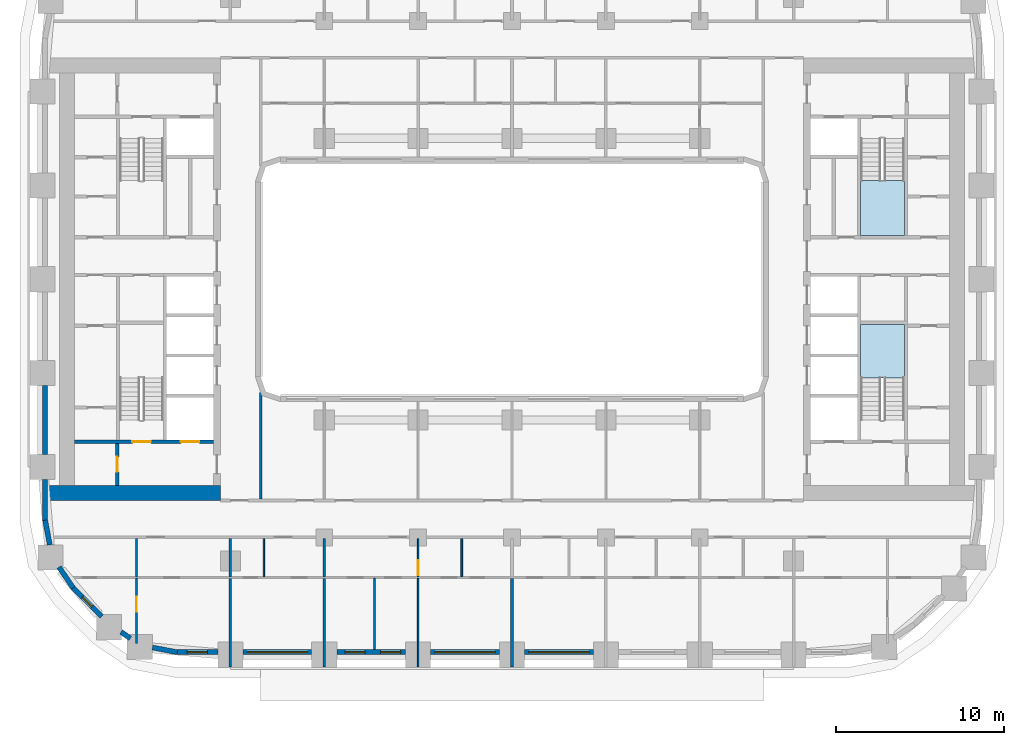
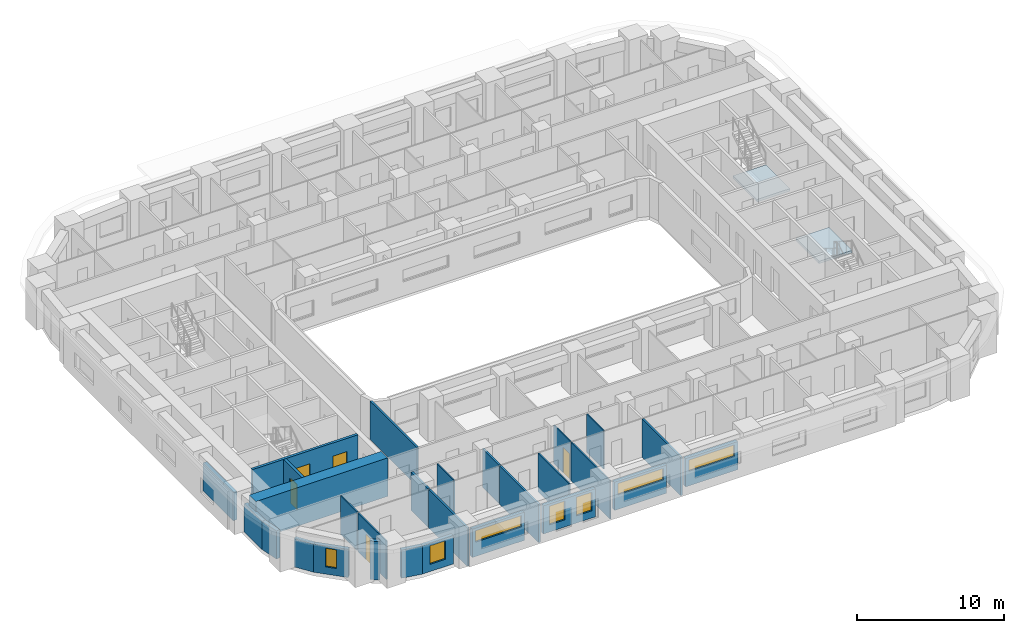
# One storey, part 2 of 21: 28 walls, 7 windows, 5 doors, 2 slabs, 12 openings, 2 elements without a shape of their own.
"""IFC4 building model written with IfcOpenShell, lengths in metres."""

from ifc_helpers import new_model, si_unit, direction, frame, frame_2d, origin, place, context, subcontext, project, spatial, polyline, rectangle, outline, extrude, material, layer, layer_set, type_object, element, fill, aggregate, save


model = new_model("IFC4")

# Units and contexts
model_context = context("Model", 3, precision=1e-05, world=origin(), true_north=direction((0.0, 1.0)))
body_context = subcontext(model_context, "Body", "Model", "MODEL_VIEW")
ifc_project = project(units=[si_unit("LENGTHUNIT", "METRE"), si_unit("AREAUNIT", "SQUARE_METRE"), si_unit("VOLUMEUNIT", "CUBIC_METRE"), si_unit("PLANEANGLEUNIT", "RADIAN"), si_unit("MASSUNIT", "GRAM", prefix="KILO")], contexts=[model_context])

# Site, building, storey
site_placement = place(None, origin())
site = spatial("IfcSite", under=ifc_project, at=site_placement, CompositionType="ELEMENT")
building_placement = place(site_placement, origin())
building = spatial("IfcBuilding", under=site, at=building_placement, Name="Kiln Ring Residences", CompositionType="ELEMENT")
storey_placement = place(building_placement, frame((0.0, 0.0, 48.0)))
storey = spatial("IfcBuildingStorey", under=building, at=storey_placement, Name="L11", CompositionType="ELEMENT", Elevation=48.0)

# Stair, slab
ifc_material_1 = material(Name="Concrete C40/50", Category="concrete")
stair_type = type_object("IfcStairType", Name="CORE-STAIR", PredefinedType="HALF_TURN_STAIR", material=ifc_material_1)
placement_1 = place(storey_placement, origin())
stair_1 = element("IfcStair", 1, at=placement_1, inside=storey, type_object=stair_type, Name="L11 stair E-STN", PredefinedType="HALF_TURN_STAIR")
ifc_material_2 = material(Name="Concrete C40/50", Category="concrete")
ifc_layer_1 = layer(ifc_material_2, 0.199951171875)
ifc_layer_set_1 = layer_set([ifc_layer_1], Name="CORE-STAIR-LANDING")
slab_type = type_object("IfcSlabType", Name="CORE-STAIR-LANDING", PredefinedType="LANDING", material=ifc_layer_set_1)
placement_2 = place(storey_placement, frame((0.0, 0.0, 1.550048828125)))
slab_1 = element("IfcSlab", 2, at=placement_2, type_object=slab_type, Name="E-STN landing 1", PredefinedType="LANDING", context=body_context, shape_type="SweptSolid", body=[
    extrude(outline(polyline([(20.800048828125, 5.8798828125), (20.800048828125, 2.60009765625), (23.39990234375, 2.60009765625), (23.39990234375, 5.8798828125), (20.800048828125, 5.8798828125)])), origin(), (0.0, 0.0, 1.0), 0.199951171875),
])
aggregate(stair_1, [slab_1])

stair_2 = element("IfcStair", 3, at=placement_1, inside=storey, type_object=stair_type, Name="L11 stair E-STS", PredefinedType="HALF_TURN_STAIR")
slab_2 = element("IfcSlab", 4, at=placement_2, type_object=slab_type, Name="E-STS landing 1", PredefinedType="LANDING", context=body_context, shape_type="SweptSolid", body=[
    extrude(outline(polyline([(23.39990234375, -5.8798828125), (23.39990234375, -2.699951171875), (20.800048828125, -2.699951171875), (20.800048828125, -5.8798828125), (23.39990234375, -5.8798828125)])), origin(), (0.0, 0.0, 1.0), 0.199951171875),
])
aggregate(stair_2, [slab_2])

# Wall, opening, door
ifc_material_3 = material(Name="Gypsum board on steel studs", Category="steel")
ifc_layer_2 = layer(ifc_material_3, 0.199951171875)
ifc_layer_set_2 = layer_set([ifc_layer_2], Name="CORE-PARTITION-200")
wall_type_1 = type_object("IfcWallType", Name="CORE-PARTITION-200", PredefinedType="PARTITIONING", material=ifc_layer_set_2)
wall_1_placement = place(storey_placement, frame((-23.550048828125, -12.300048828125, 0.0), z_axis=(0.0, 0.0, 1.0), x_axis=(0.0, 1.0, 0.0)))
wall_1 = element("IfcWall", 5, at=wall_1_placement, inside=storey, type_object=wall_type_1, Name="Core partition west L11 5", PredefinedType="PARTITIONING", context=body_context, shape_type="SweptSolid", body=[
    extrude(rectangle(XDim=2.5, YDim=0.199951171875, at=frame_2d((1.25, 0.0))), origin(), (0.0, 0.0, 1.0), 3.199951171875),
])
opening_1_placement = place(wall_1_placement, frame((0.800048828125, 0.0, 0.0)))
opening_1 = element("IfcOpeningElement", 6, at=opening_1_placement, cuts=wall_1, Name="Opening L11-CW11", PredefinedType="OPENING", context=body_context, shape_type="SweptSolid", body=[
    extrude(rectangle(XDim=0.89990234375, YDim=2.10009765625, at=frame_2d((0.449951171875, 1.050048828125))), frame((0.0, 0.10986328125, 0.0), z_axis=(0.0, -1.0, 0.0), x_axis=(1.0, 0.0, 0.0)), (0.0, 0.0, 1.0), 0.219970703125),
])
ifc_material_4 = material(Name="Steel door leaf", Category="steel")
door_type_1 = type_object("IfcDoorType", Name="CORE-DOOR-ROOM", OperationType="SINGLE_SWING_LEFT", PredefinedType="DOOR", material=ifc_material_4)
door_1_placement = place(opening_1_placement, origin())
door_1 = element("IfcDoor", 7, at=door_1_placement, inside=storey, type_object=door_type_1, Name="Store L11-CW11", OperationType="SINGLE_SWING_LEFT", OverallHeight=2.10009765625, OverallWidth=0.89990234375, PredefinedType="DOOR", context=body_context, shape_type="SweptSolid", body=[
    extrude(rectangle(XDim=0.89990234375, YDim=2.10009765625, at=frame_2d((0.449951171875, 1.050048828125))), frame((0.0, 0.02490234375, 0.0), z_axis=(0.0, -1.0, 0.0), x_axis=(1.0, 0.0, 0.0)), (0.0, 0.0, 1.0), 0.050048828125),
])
fill(opening_1, door_1)

# Wall, openings, doors
ifc_material_5 = material(Name="Concrete C40/50", Category="concrete")
ifc_layer_3 = layer(ifc_material_5, 0.199951171875)
ifc_layer_set_3 = layer_set([ifc_layer_3], Name="CORE-WALL-RC200")
wall_type_2 = type_object("IfcWallType", Name="CORE-WALL-RC200", PredefinedType="SHEAR", material=ifc_layer_set_3)
wall_2_placement = place(storey_placement, frame((-17.800048828125, -9.699951171875, 0.0), z_axis=(0.0, 0.0, 1.0), x_axis=(-1.0, 0.0, 0.0)))
wall_2 = element("IfcWall", 8, at=wall_2_placement, inside=storey, type_object=wall_type_2, Name="Core wall west L11 8", PredefinedType="SHEAR", context=body_context, shape_type="SweptSolid", body=[
    extrude(rectangle(XDim=8.300048828125, YDim=0.199951171875, at=frame_2d((4.14990234375, 0.0))), origin(), (0.0, 0.0, 1.0), 3.199951171875),
])
opening_2_placement = place(wall_2_placement, frame((0.85009765625, 0.0, 0.0)))
opening_2 = element("IfcOpeningElement", 9, at=opening_2_placement, cuts=wall_2, Name="Opening L11-CW01", PredefinedType="OPENING", context=body_context, shape_type="SweptSolid", body=[
    extrude(rectangle(XDim=1.10009765625, YDim=2.10009765625, at=frame_2d((0.550048828125, 1.050048828125))), frame((0.0, 0.10986328125, 0.0), z_axis=(0.0, -1.0, 0.0), x_axis=(1.0, 0.0, 0.0)), (0.0, 0.0, 1.0), 0.219970703125),
])
opening_3_placement = place(wall_2_placement, frame((3.75, 0.0, 0.0)))
opening_3 = element("IfcOpeningElement", 10, at=opening_3_placement, cuts=wall_2, Name="Opening L11-CW13", PredefinedType="OPENING", context=body_context, shape_type="SweptSolid", body=[
    extrude(rectangle(XDim=1.10009765625, YDim=2.10009765625, at=frame_2d((0.550048828125, 1.050048828125))), frame((0.0, 0.10986328125, 0.0), z_axis=(0.0, -1.0, 0.0), x_axis=(1.0, 0.0, 0.0)), (0.0, 0.0, 1.0), 0.219970703125),
])
ifc_material_6 = material(Name="Steel door leaf", Category="steel")
door_type_2 = type_object("IfcDoorType", Name="CORE-DOOR-LD", OperationType="DOUBLE_DOOR_SLIDING", PredefinedType="DOOR", material=ifc_material_6)
door_2_placement = place(opening_2_placement, origin())
door_2 = element("IfcDoor", 11, at=door_2_placement, inside=storey, type_object=door_type_2, Name="LD W-SV L11-CW01", OperationType="DOUBLE_DOOR_SLIDING", OverallHeight=2.10009765625, OverallWidth=1.10009765625, PredefinedType="DOOR", context=body_context, shape_type="SweptSolid", body=[
    extrude(rectangle(XDim=1.10009765625, YDim=2.10009765625, at=frame_2d((0.550048828125, 1.050048828125))), frame((0.0, 0.02490234375, 0.0), z_axis=(0.0, -1.0, 0.0), x_axis=(1.0, 0.0, 0.0)), (0.0, 0.0, 1.0), 0.050048828125),
])
fill(opening_2, door_2)
ifc_material_7 = material(Name="Steel door leaf", Category="steel")
door_type_3 = type_object("IfcDoorType", Name="CORE-DOOR-STAIR", OperationType="SINGLE_SWING_LEFT", PredefinedType="DOOR", material=ifc_material_7)
door_3_placement = place(opening_3_placement, origin())
door_3 = element("IfcDoor", 12, at=door_3_placement, inside=storey, type_object=door_type_3, Name="Stair W-STS L11-CW13", OperationType="SINGLE_SWING_RIGHT", OverallHeight=2.10009765625, OverallWidth=1.10009765625, PredefinedType="DOOR", context=body_context, shape_type="SweptSolid", body=[
    extrude(rectangle(XDim=1.10009765625, YDim=2.10009765625, at=frame_2d((0.550048828125, 1.050048828125))), frame((0.0, 0.02490234375, 0.0), z_axis=(0.0, -1.0, 0.0), x_axis=(1.0, 0.0, 0.0)), (0.0, 0.0, 1.0), 0.050048828125),
])
fill(opening_3, door_3)

# Wall
ifc_material_8 = material(Name="Concrete C60/75", Category="concrete")
ifc_layer_4 = layer(ifc_material_8, 0.89990234375)
ifc_layer_set_4 = layer_set([ifc_layer_4], Name="CORE-WALL-RC900")
wall_type_3 = type_object("IfcWallType", Name="CORE-WALL-RC900", PredefinedType="SHEAR", material=ifc_layer_set_4)
wall_3_placement = place(storey_placement, frame((-17.39990234375, -12.75, 0.0), z_axis=(0.0, 0.0, 1.0), x_axis=(-1.0, 0.0, 0.0)))
element("IfcWall", 13, at=wall_3_placement, inside=storey, type_object=wall_type_3, Name="Core wall west L11 5", PredefinedType="SHEAR", context=body_context, shape_type="SweptSolid", body=[
    extrude(rectangle(XDim=10.400146484375, YDim=0.89990234375, at=frame_2d((5.2001953125, 0.0))), origin(), (0.0, 0.0, 1.0), 3.199951171875),
])

# Wall, opening, window
ifc_material_9 = material(Name="Brick masonry, dark clay brick", Category="masonry")
ifc_layer_5 = layer(ifc_material_9, 0.300048828125)
ifc_layer_set_5 = layer_set([ifc_layer_5], Name="EW-300 BRICK WALL")
wall_type_4 = type_object("IfcWallType", Name="EW-300 BRICK WALL", PredefinedType="SOLIDWALL", material=ifc_layer_set_5)
wall_4_placement = place(storey_placement, frame((-26.19677734375, -18.390869140625, 0.0), z_axis=(0.0, 0.0, 1.0), x_axis=(0.707106781187, -0.707106781187, 0.0)))
wall_4 = element("IfcWall", 14, at=wall_4_placement, inside=storey, type_object=wall_type_4, Name="Facade wall L11 1", PredefinedType="SOLIDWALL", context=body_context, shape_type="SweptSolid", body=[
    extrude(rectangle(XDim=2.449951171875, YDim=0.300048828125, at=frame_2d((1.22509765625, 0.0))), origin(), (0.0, 0.0, 1.0), 2.35009765625),
])
opening_4_placement = place(wall_4_placement, frame((0.824951171875, 0.0, 0.60009765625)))
opening_4 = element("IfcOpeningElement", 15, at=opening_4_placement, cuts=wall_4, Name="Opening W5", PredefinedType="OPENING", context=body_context, shape_type="SweptSolid", body=[
    extrude(rectangle(XDim=0.800048828125, YDim=1.550048828125, at=frame_2d((0.39990234375, 0.77490234375))), frame((0.0, 0.159912109375, 0.0), z_axis=(0.0, -1.0, 0.0), x_axis=(1.0, 0.0, 0.0)), (0.0, 0.0, 1.0), 0.320068359375),
])
ifc_material_10 = material(Name="Aluminium frame with double glazing", Category="aluminium")
window_type_1 = type_object("IfcWindowType", Name="WINDOW 800 x 1550", PartitioningType="SINGLE_PANEL", PredefinedType="WINDOW", material=ifc_material_10)
window_1_placement = place(opening_4_placement, origin())
window_1 = element("IfcWindow", 16, at=window_1_placement, inside=storey, type_object=window_type_1, Name="Window L11 1", OverallHeight=1.550048828125, OverallWidth=0.800048828125, PartitioningType="SINGLE_PANEL", PredefinedType="WINDOW", context=body_context, shape_type="SweptSolid", body=[
    extrude(rectangle(XDim=0.800048828125, YDim=1.550048828125, at=frame_2d((0.39990234375, 0.77490234375))), frame((0.0, 0.030029296875, 0.0), z_axis=(0.0, -1.0, 0.0), x_axis=(1.0, 0.0, 0.0)), (0.0, 0.0, 1.0), 0.06005859375),
])
fill(opening_4, window_1)

# Walls
wall_5_placement = place(storey_placement, frame((-23.3271484375, -21.044921875, 0.0), z_axis=(0.0, 0.0, 1.0), x_axis=(0.827080706709, -0.562083182981, 0.0)))
element("IfcWall", 17, at=wall_5_placement, inside=storey, type_object=wall_type_4, Name="Facade wall L11 2", PredefinedType="SOLIDWALL", context=body_context, shape_type="SweptSolid", body=[
    extrude(rectangle(XDim=0.67724609375, YDim=0.300048828125, at=frame_2d((0.338623046875, 0.0))), origin(), (0.0, 0.0, 1.0), 3.199951171875),
])
wall_6_placement = place(storey_placement, frame((-21.451416015625, -21.970458984375, 0.0), z_axis=(0.0, 0.0, 1.0), x_axis=(0.982287454367, -0.187380247071, 0.0)))
element("IfcWall", 18, at=wall_6_placement, inside=storey, type_object=wall_type_4, Name="Facade wall L11 3", PredefinedType="SOLIDWALL", context=body_context, shape_type="SweptSolid", body=[
    extrude(rectangle(XDim=1.506103515625, YDim=0.300048828125, at=frame_2d((0.7529296875, 0.0))), origin(), (0.0, 0.0, 1.0), 2.35009765625),
])

# Wall, opening, window
wall_7_placement = place(storey_placement, frame((-20.0, -22.25, 0.0), z_axis=(0.0, 0.0, 1.0), x_axis=(1.0, 0.0, 0.0)))
wall_7 = element("IfcWall", 19, at=wall_7_placement, inside=storey, type_object=wall_type_4, Name="Facade wall L11 4", PredefinedType="SOLIDWALL", context=body_context, shape_type="SweptSolid", body=[
    extrude(rectangle(XDim=2.449951171875, YDim=0.300048828125, at=frame_2d((1.22509765625, 0.0))), origin(), (0.0, 0.0, 1.0), 2.35009765625),
])
opening_5_placement = place(wall_7_placement, frame((0.625, 0.0, 0.60009765625)))
opening_5 = element("IfcOpeningElement", 20, at=opening_5_placement, cuts=wall_7, Name="Opening W1", PredefinedType="OPENING", context=body_context, shape_type="SweptSolid", body=[
    extrude(rectangle(XDim=1.199951171875, YDim=1.550048828125, at=frame_2d((0.60009765625, 0.77490234375))), frame((0.0, 0.159912109375, 0.0), z_axis=(0.0, -1.0, 0.0), x_axis=(1.0, 0.0, 0.0)), (0.0, 0.0, 1.0), 0.320068359375),
])
ifc_material_11 = material(Name="Aluminium frame with double glazing", Category="aluminium")
window_type_2 = type_object("IfcWindowType", Name="WINDOW 1200 x 1550", PartitioningType="SINGLE_PANEL", PredefinedType="WINDOW", material=ifc_material_11)
window_2_placement = place(opening_5_placement, origin())
window_2 = element("IfcWindow", 21, at=window_2_placement, inside=storey, type_object=window_type_2, Name="Window L11 2", OverallHeight=1.550048828125, OverallWidth=1.199951171875, PartitioningType="SINGLE_PANEL", PredefinedType="WINDOW", context=body_context, shape_type="SweptSolid", body=[
    extrude(rectangle(XDim=1.199951171875, YDim=1.550048828125, at=frame_2d((0.60009765625, 0.77490234375))), frame((0.0, 0.030029296875, 0.0), z_axis=(0.0, -1.0, 0.0), x_axis=(1.0, 0.0, 0.0)), (0.0, 0.0, 1.0), 0.06005859375),
])
fill(opening_5, window_2)

wall_8_placement = place(storey_placement, frame((-16.050048828125, -22.25, 0.0), z_axis=(0.0, 0.0, 1.0), x_axis=(1.0, 0.0, 0.0)))
wall_8 = element("IfcWall", 22, at=wall_8_placement, inside=storey, type_object=wall_type_4, Name="Facade wall L11 5", PredefinedType="SOLIDWALL", context=body_context, shape_type="SweptSolid", body=[
    extrude(rectangle(XDim=4.10009765625, YDim=0.300048828125, at=frame_2d((2.050048828125, 0.0))), origin(), (0.0, 0.0, 1.0), 2.35009765625),
])
opening_6_placement = place(wall_8_placement, frame((0.25, 0.0, 1.199951171875)))
opening_6 = element("IfcOpeningElement", 23, at=opening_6_placement, cuts=wall_8, Name="Opening W4", PredefinedType="OPENING", context=body_context, shape_type="SweptSolid", body=[
    extrude(rectangle(XDim=3.60009765625, YDim=0.949951171875, at=frame_2d((1.800048828125, 0.47509765625))), frame((0.0, 0.159912109375, 0.0), z_axis=(0.0, -1.0, 0.0), x_axis=(1.0, 0.0, 0.0)), (0.0, 0.0, 1.0), 0.320068359375),
])
ifc_material_12 = material(Name="Aluminium frame with double glazing", Category="aluminium")
window_type_3 = type_object("IfcWindowType", Name="WINDOW 3600 x 950", PartitioningType="SINGLE_PANEL", PredefinedType="WINDOW", material=ifc_material_12)
window_3_placement = place(opening_6_placement, origin())
window_3 = element("IfcWindow", 24, at=window_3_placement, inside=storey, type_object=window_type_3, Name="Window L11 3", OverallHeight=0.949951171875, OverallWidth=3.60009765625, PartitioningType="SINGLE_PANEL", PredefinedType="WINDOW", context=body_context, shape_type="SweptSolid", body=[
    extrude(rectangle(XDim=3.60009765625, YDim=0.949951171875, at=frame_2d((1.800048828125, 0.47509765625))), frame((0.0, 0.030029296875, 0.0), z_axis=(0.0, -1.0, 0.0), x_axis=(1.0, 0.0, 0.0)), (0.0, 0.0, 1.0), 0.06005859375),
])
fill(opening_6, window_3)

# Wall, openings, windows
wall_9_placement = place(storey_placement, frame((-10.449951171875, -22.25, 0.0), z_axis=(0.0, 0.0, 1.0), x_axis=(1.0, 0.0, 0.0)))
wall_9 = element("IfcWall", 25, at=wall_9_placement, inside=storey, type_object=wall_type_4, Name="Facade wall L11 6", PredefinedType="SOLIDWALL", context=body_context, shape_type="SweptSolid", body=[
    extrude(rectangle(XDim=4.099853515625, YDim=0.300048828125, at=frame_2d((2.0498046875, 0.0))), origin(), (0.0, 0.0, 1.0), 2.35009765625),
])
opening_7_placement = place(wall_9_placement, frame((0.487548828125, 0.0, 0.60009765625)))
opening_7 = element("IfcOpeningElement", 26, at=opening_7_placement, cuts=wall_9, Name="Opening W1", PredefinedType="OPENING", context=body_context, shape_type="SweptSolid", body=[
    extrude(rectangle(XDim=1.199951171875, YDim=1.550048828125, at=frame_2d((0.60009765625, 0.77490234375))), frame((0.0, 0.159912109375, 0.0), z_axis=(0.0, -1.0, 0.0), x_axis=(1.0, 0.0, 0.0)), (0.0, 0.0, 1.0), 0.320068359375),
])
opening_8_placement = place(wall_9_placement, frame((2.612548828125, 0.0, 0.60009765625)))
opening_8 = element("IfcOpeningElement", 27, at=opening_8_placement, cuts=wall_9, Name="Opening W1", PredefinedType="OPENING", context=body_context, shape_type="SweptSolid", body=[
    extrude(rectangle(XDim=1.199951171875, YDim=1.550048828125, at=frame_2d((0.60009765625, 0.77490234375))), frame((0.0, 0.159912109375, 0.0), z_axis=(0.0, -1.0, 0.0), x_axis=(1.0, 0.0, 0.0)), (0.0, 0.0, 1.0), 0.320068359375),
])
window_4_placement = place(opening_7_placement, origin())
window_4 = element("IfcWindow", 28, at=window_4_placement, inside=storey, type_object=window_type_2, Name="Window L11 4", OverallHeight=1.550048828125, OverallWidth=1.199951171875, PartitioningType="SINGLE_PANEL", PredefinedType="WINDOW", context=body_context, shape_type="SweptSolid", body=[
    extrude(rectangle(XDim=1.199951171875, YDim=1.550048828125, at=frame_2d((0.60009765625, 0.77490234375))), frame((0.0, 0.030029296875, 0.0), z_axis=(0.0, -1.0, 0.0), x_axis=(1.0, 0.0, 0.0)), (0.0, 0.0, 1.0), 0.06005859375),
])
fill(opening_7, window_4)
window_5_placement = place(opening_8_placement, origin())
window_5 = element("IfcWindow", 29, at=window_5_placement, inside=storey, type_object=window_type_2, Name="Window L11 5", OverallHeight=1.550048828125, OverallWidth=1.199951171875, PartitioningType="SINGLE_PANEL", PredefinedType="WINDOW", context=body_context, shape_type="SweptSolid", body=[
    extrude(rectangle(XDim=1.199951171875, YDim=1.550048828125, at=frame_2d((0.60009765625, 0.77490234375))), frame((0.0, 0.030029296875, 0.0), z_axis=(0.0, -1.0, 0.0), x_axis=(1.0, 0.0, 0.0)), (0.0, 0.0, 1.0), 0.06005859375),
])
fill(opening_8, window_5)

# Wall, opening, window
wall_10_placement = place(storey_placement, frame((-4.85009765625, -22.25, 0.0), z_axis=(0.0, 0.0, 1.0), x_axis=(1.0, 0.0, 0.0)))
wall_10 = element("IfcWall", 30, at=wall_10_placement, inside=storey, type_object=wall_type_4, Name="Facade wall L11 7", PredefinedType="SOLIDWALL", context=body_context, shape_type="SweptSolid", body=[
    extrude(rectangle(XDim=4.10009765625, YDim=0.300048828125, at=frame_2d((2.050048828125, 0.0))), origin(), (0.0, 0.0, 1.0), 2.35009765625),
])
opening_9_placement = place(wall_10_placement, frame((0.25, 0.0, 1.199951171875)))
opening_9 = element("IfcOpeningElement", 31, at=opening_9_placement, cuts=wall_10, Name="Opening W4", PredefinedType="OPENING", context=body_context, shape_type="SweptSolid", body=[
    extrude(rectangle(XDim=3.60009765625, YDim=0.949951171875, at=frame_2d((1.800048828125, 0.47509765625))), frame((0.0, 0.159912109375, 0.0), z_axis=(0.0, -1.0, 0.0), x_axis=(1.0, 0.0, 0.0)), (0.0, 0.0, 1.0), 0.320068359375),
])
window_6_placement = place(opening_9_placement, origin())
window_6 = element("IfcWindow", 32, at=window_6_placement, inside=storey, type_object=window_type_3, Name="Window L11 6", OverallHeight=0.949951171875, OverallWidth=3.60009765625, PartitioningType="SINGLE_PANEL", PredefinedType="WINDOW", context=body_context, shape_type="SweptSolid", body=[
    extrude(rectangle(XDim=3.60009765625, YDim=0.949951171875, at=frame_2d((1.800048828125, 0.47509765625))), frame((0.0, 0.030029296875, 0.0), z_axis=(0.0, -1.0, 0.0), x_axis=(1.0, 0.0, 0.0)), (0.0, 0.0, 1.0), 0.06005859375),
])
fill(opening_9, window_6)

wall_11_placement = place(storey_placement, frame((0.75, -22.25, 0.0), z_axis=(0.0, 0.0, 1.0), x_axis=(1.0, 0.0, 0.0)))
wall_11 = element("IfcWall", 33, at=wall_11_placement, inside=storey, type_object=wall_type_4, Name="Facade wall L11 8", PredefinedType="SOLIDWALL", context=body_context, shape_type="SweptSolid", body=[
    extrude(rectangle(XDim=4.10009765625, YDim=0.300048828125, at=frame_2d((2.050048828125, 0.0))), origin(), (0.0, 0.0, 1.0), 2.35009765625),
])
opening_10_placement = place(wall_11_placement, frame((0.25, 0.0, 1.199951171875)))
opening_10 = element("IfcOpeningElement", 34, at=opening_10_placement, cuts=wall_11, Name="Opening W4", PredefinedType="OPENING", context=body_context, shape_type="SweptSolid", body=[
    extrude(rectangle(XDim=3.60009765625, YDim=0.949951171875, at=frame_2d((1.800048828125, 0.47509765625))), frame((0.0, 0.159912109375, 0.0), z_axis=(0.0, -1.0, 0.0), x_axis=(1.0, 0.0, 0.0)), (0.0, 0.0, 1.0), 0.320068359375),
])
window_7_placement = place(opening_10_placement, origin())
window_7 = element("IfcWindow", 35, at=window_7_placement, inside=storey, type_object=window_type_3, Name="Window L11 7", OverallHeight=0.949951171875, OverallWidth=3.60009765625, PartitioningType="SINGLE_PANEL", PredefinedType="WINDOW", context=body_context, shape_type="SweptSolid", body=[
    extrude(rectangle(XDim=3.60009765625, YDim=0.949951171875, at=frame_2d((1.800048828125, 0.47509765625))), frame((0.0, 0.030029296875, 0.0), z_axis=(0.0, -1.0, 0.0), x_axis=(1.0, 0.0, 0.0)), (0.0, 0.0, 1.0), 0.06005859375),
])
fill(opening_10, window_7)

# Walls
wall_12_placement = place(storey_placement, frame((-27.85009765625, -6.35009765625, 0.0), z_axis=(0.0, 0.0, 1.0), x_axis=(0.0, -1.0, 0.0)))
element("IfcWall", 36, at=wall_12_placement, inside=storey, type_object=wall_type_4, Name="Facade wall L11 45", PredefinedType="SOLIDWALL", context=body_context, shape_type="SweptSolid", body=[
    extrude(rectangle(XDim=4.099853515625, YDim=0.300048828125, at=frame_2d((2.0498046875, 0.0))), origin(), (0.0, 0.0, 1.0), 2.35009765625),
])
wall_13_placement = place(storey_placement, frame((-27.85009765625, -11.949951171875, 0.0), z_axis=(0.0, 0.0, 1.0), x_axis=(0.0, -1.0, 0.0)))
element("IfcWall", 37, at=wall_13_placement, inside=storey, type_object=wall_type_4, Name="Facade wall L11 46", PredefinedType="SOLIDWALL", context=body_context, shape_type="SweptSolid", body=[
    extrude(rectangle(XDim=2.449951171875, YDim=0.300048828125, at=frame_2d((1.22509765625, 0.0))), origin(), (0.0, 0.0, 1.0), 2.35009765625),
])
for number, where, z_axis, x_axis, name in (
    (38, (-27.8525390625, -14.371826171875, 0.0), (0.0, 0.0, 1.0), (0.187223837635, -0.982317277982, 0.0), "Facade wall L11 47"),
    (39, (-27.025390625, -17.1669921875, 0.0), (0.0, 0.0, 1.0), (0.561973021955, -0.827155561303, 0.0), "Facade wall L11 48"),
):
    element("IfcWall", number, at=place(storey_placement, frame(where, z_axis=z_axis, x_axis=x_axis)), inside=storey, type_object=wall_type_4, Name=name, PredefinedType="SOLIDWALL", context=body_context, shape_type="SweptSolid", body=[
        extrude(rectangle(XDim=1.506103515625, YDim=0.300048828125, at=frame_2d((0.7529296875, 0.0))), origin(), (0.0, 0.0, 1.0), 2.35009765625),
    ])

# Wall, opening, door
ifc_material_13 = material(Name="Gypsum board on steel studs", Category="steel")
ifc_layer_6 = layer(ifc_material_13, 0.10009765625)
ifc_layer_set_6 = layer_set([ifc_layer_6], Name="PARTITION-100")
wall_type_5 = type_object("IfcWallType", Name="PARTITION-100", PredefinedType="PARTITIONING", material=ifc_layer_set_6)
wall_14_placement = place(storey_placement, frame((-22.39990234375, -21.719970703125, 0.0), z_axis=(0.0, 0.0, 1.0), x_axis=(0.0, 1.0, 0.0)))
wall_14 = element("IfcWall", 40, at=wall_14_placement, inside=storey, type_object=wall_type_5, Name="Partition 007", PredefinedType="PARTITIONING", context=body_context, shape_type="SweptSolid", body=[
    extrude(rectangle(XDim=3.869873046875, YDim=0.10009765625, at=frame_2d((1.93505859375, 0.0))), origin(), (0.0, 0.0, 1.0), 3.199951171875),
])
opening_11_placement = place(wall_14_placement, frame((1.8701171875, 0.0, 0.0)))
opening_11 = element("IfcOpeningElement", 41, at=opening_11_placement, cuts=wall_14, Name="Opening L11-D054", PredefinedType="OPENING", context=body_context, shape_type="SweptSolid", body=[
    extrude(rectangle(XDim=0.89990234375, YDim=2.10009765625, at=frame_2d((0.449951171875, 1.050048828125))), frame((0.0, 0.06005859375, 0.0), z_axis=(0.0, -1.0, 0.0), x_axis=(1.0, 0.0, 0.0)), (0.0, 0.0, 1.0), 0.1201171875),
])
ifc_material_14 = material(Name="Timber door leaf", Category="wood")
door_type_4 = type_object("IfcDoorType", Name="FLAT-DOOR-900-PL", OperationType="SINGLE_SWING_LEFT", PredefinedType="DOOR", material=ifc_material_14)
door_4_placement = place(opening_11_placement, origin())
door_4 = element("IfcDoor", 42, at=door_4_placement, inside=storey, type_object=door_type_4, Name="Door L11-D054", OperationType="SINGLE_SWING_LEFT", OverallHeight=2.10009765625, OverallWidth=0.89990234375, PredefinedType="DOOR", context=body_context, shape_type="SweptSolid", body=[
    extrude(rectangle(XDim=0.89990234375, YDim=2.10009765625, at=frame_2d((0.449951171875, 1.050048828125))), frame((0.0, 0.02490234375, 0.0), z_axis=(0.0, -1.0, 0.0), x_axis=(1.0, 0.0, 0.0)), (0.0, 0.0, 1.0), 0.050048828125),
])
fill(opening_11, door_4)

# Walls
for number, where, z_axis, x_axis, name in (
    (43, (-22.39990234375, -17.75, 0.0), (0.0, 0.0, 1.0), (0.0, 1.0, 0.0), "Partition 008"),
    (44, (-14.800048828125, -17.75, 0.0), (0.0, 0.0, 1.0), (0.0, 1.0, 0.0), "Partition 017"),
):
    element("IfcWall", number, at=place(storey_placement, frame(where, z_axis=z_axis, x_axis=x_axis)), inside=storey, type_object=wall_type_5, Name=name, PredefinedType="PARTITIONING", context=body_context, shape_type="SweptSolid", body=[
        extrude(rectangle(XDim=2.27490234375, YDim=0.10009765625, at=frame_2d((1.137451171875, 0.0))), origin(), (0.0, 0.0, 1.0), 3.199951171875),
    ])
wall_15_placement = place(storey_placement, frame((-8.199951171875, -22.080078125, 0.0), z_axis=(0.0, 0.0, 1.0), x_axis=(0.0, 1.0, 0.0)))
element("IfcWall", 45, at=wall_15_placement, inside=storey, type_object=wall_type_5, Name="Partition 027", PredefinedType="PARTITIONING", context=body_context, shape_type="SweptSolid", body=[
    extrude(rectangle(XDim=4.22998046875, YDim=0.10009765625, at=frame_2d((2.114990234375, 0.0))), origin(), (0.0, 0.0, 1.0), 3.199951171875),
])
wall_16_placement = place(storey_placement, frame((-5.60009765625, -23.1298828125, 0.0), z_axis=(0.0, 0.0, 1.0), x_axis=(0.0, 1.0, 0.0)))
element("IfcWall", 46, at=wall_16_placement, inside=storey, type_object=wall_type_5, Name="Partition 028", PredefinedType="PARTITIONING", context=body_context, shape_type="SweptSolid", body=[
    extrude(rectangle(XDim=5.27978515625, YDim=0.10009765625, at=frame_2d((2.639892578125, 0.0))), origin(), (0.0, 0.0, 1.0), 3.199951171875),
])

# Wall, opening, door
wall_17_placement = place(storey_placement, frame((-5.60009765625, -17.75, 0.0), z_axis=(0.0, 0.0, 1.0), x_axis=(0.0, 1.0, 0.0)))
wall_17 = element("IfcWall", 47, at=wall_17_placement, inside=storey, type_object=wall_type_5, Name="Partition 029", PredefinedType="PARTITIONING", context=body_context, shape_type="SweptSolid", body=[
    extrude(rectangle(XDim=2.27490234375, YDim=0.10009765625, at=frame_2d((1.137451171875, 0.0))), origin(), (0.0, 0.0, 1.0), 3.199951171875),
])
opening_12_placement = place(wall_17_placement, frame((0.10009765625, 0.0, 0.0)))
opening_12 = element("IfcOpeningElement", 48, at=opening_12_placement, cuts=wall_17, Name="Opening L11-D059", PredefinedType="OPENING", context=body_context, shape_type="SweptSolid", body=[
    extrude(rectangle(XDim=0.89990234375, YDim=2.10009765625, at=frame_2d((0.449951171875, 1.050048828125))), frame((0.0, 0.06005859375, 0.0), z_axis=(0.0, -1.0, 0.0), x_axis=(1.0, 0.0, 0.0)), (0.0, 0.0, 1.0), 0.1201171875),
])
door_5_placement = place(opening_12_placement, origin())
door_5 = element("IfcDoor", 49, at=door_5_placement, inside=storey, type_object=door_type_4, Name="Door L11-D059", OperationType="SINGLE_SWING_LEFT", OverallHeight=2.10009765625, OverallWidth=0.89990234375, PredefinedType="DOOR", context=body_context, shape_type="SweptSolid", body=[
    extrude(rectangle(XDim=0.89990234375, YDim=2.10009765625, at=frame_2d((0.449951171875, 1.050048828125))), frame((0.0, 0.02490234375, 0.0), z_axis=(0.0, -1.0, 0.0), x_axis=(1.0, 0.0, 0.0)), (0.0, 0.0, 1.0), 0.050048828125),
])
fill(opening_12, door_5)

# Walls
wall_18_placement = place(storey_placement, frame((-3.0, -17.75, 0.0), z_axis=(0.0, 0.0, 1.0), x_axis=(0.0, 1.0, 0.0)))
element("IfcWall", 50, at=wall_18_placement, inside=storey, type_object=wall_type_5, Name="Partition 036", PredefinedType="PARTITIONING", context=body_context, shape_type="SweptSolid", body=[
    extrude(rectangle(XDim=2.27490234375, YDim=0.10009765625, at=frame_2d((1.137451171875, 0.0))), origin(), (0.0, 0.0, 1.0), 3.199951171875),
])
ifc_material_15 = material(Name="Brick masonry partition", Category="masonry")
ifc_layer_7 = layer(ifc_material_15, 0.14990234375)
ifc_layer_set_7 = layer_set([ifc_layer_7], Name="PARTITION-150-ei60")
wall_type_6 = type_object("IfcWallType", Name="PARTITION-150-ei60", PredefinedType="PARTITIONING", material=ifc_layer_set_7)
wall_19_placement = place(storey_placement, frame((-16.800048828125, -23.1298828125, 0.0), z_axis=(0.0, 0.0, 1.0), x_axis=(0.0, 1.0, 0.0)))
element("IfcWall", 51, at=wall_19_placement, inside=storey, type_object=wall_type_6, Name="Partition 011", PredefinedType="PARTITIONING", context=body_context, shape_type="SweptSolid", body=[
    extrude(rectangle(XDim=5.27978515625, YDim=0.14990234375, at=frame_2d((2.639892578125, 0.0))), origin(), (0.0, 0.0, 1.0), 3.199951171875),
])
wall_20_placement = place(storey_placement, frame((-16.800048828125, -17.75, 0.0), z_axis=(0.0, 0.0, 1.0), x_axis=(0.0, 1.0, 0.0)))
element("IfcWall", 52, at=wall_20_placement, inside=storey, type_object=wall_type_6, Name="Partition 012", PredefinedType="PARTITIONING", context=body_context, shape_type="SweptSolid", body=[
    extrude(rectangle(XDim=2.27490234375, YDim=0.14990234375, at=frame_2d((1.137451171875, 0.0))), origin(), (0.0, 0.0, 1.0), 3.199951171875),
])
wall_21_placement = place(storey_placement, frame((-15.0, -13.125, 0.0), z_axis=(0.0, 0.0, 1.0), x_axis=(0.0, 1.0, 0.0)))
element("IfcWall", 53, at=wall_21_placement, inside=storey, type_object=wall_type_6, Name="Partition 015", PredefinedType="PARTITIONING", context=body_context, shape_type="SweptSolid", body=[
    extrude(rectangle(XDim=6.356201171875, YDim=0.14990234375, at=frame_2d((3.17822265625, 0.0))), origin(), (0.0, 0.0, 1.0), 3.199951171875),
])
wall_22_placement = place(storey_placement, frame((-11.199951171875, -23.1298828125, 0.0), z_axis=(0.0, 0.0, 1.0), x_axis=(0.0, 1.0, 0.0)))
element("IfcWall", 54, at=wall_22_placement, inside=storey, type_object=wall_type_6, Name="Partition 024", PredefinedType="PARTITIONING", context=body_context, shape_type="SweptSolid", body=[
    extrude(rectangle(XDim=5.27978515625, YDim=0.14990234375, at=frame_2d((2.639892578125, 0.0))), origin(), (0.0, 0.0, 1.0), 3.199951171875),
])
wall_23_placement = place(storey_placement, frame((-11.199951171875, -17.75, 0.0), z_axis=(0.0, 0.0, 1.0), x_axis=(0.0, 1.0, 0.0)))
element("IfcWall", 55, at=wall_23_placement, inside=storey, type_object=wall_type_6, Name="Partition 025", PredefinedType="PARTITIONING", context=body_context, shape_type="SweptSolid", body=[
    extrude(rectangle(XDim=2.27490234375, YDim=0.14990234375, at=frame_2d((1.137451171875, 0.0))), origin(), (0.0, 0.0, 1.0), 3.199951171875),
])
wall_24_placement = place(storey_placement, frame((0.0, -23.1298828125, 0.0), z_axis=(0.0, 0.0, 1.0), x_axis=(0.0, 1.0, 0.0)))
element("IfcWall", 56, at=wall_24_placement, inside=storey, type_object=wall_type_6, Name="Partition 039", PredefinedType="PARTITIONING", context=body_context, shape_type="SweptSolid", body=[
    extrude(rectangle(XDim=5.27978515625, YDim=0.14990234375, at=frame_2d((2.639892578125, 0.0))), origin(), (0.0, 0.0, 1.0), 3.199951171875),
])

save(model, "model.ifc")
